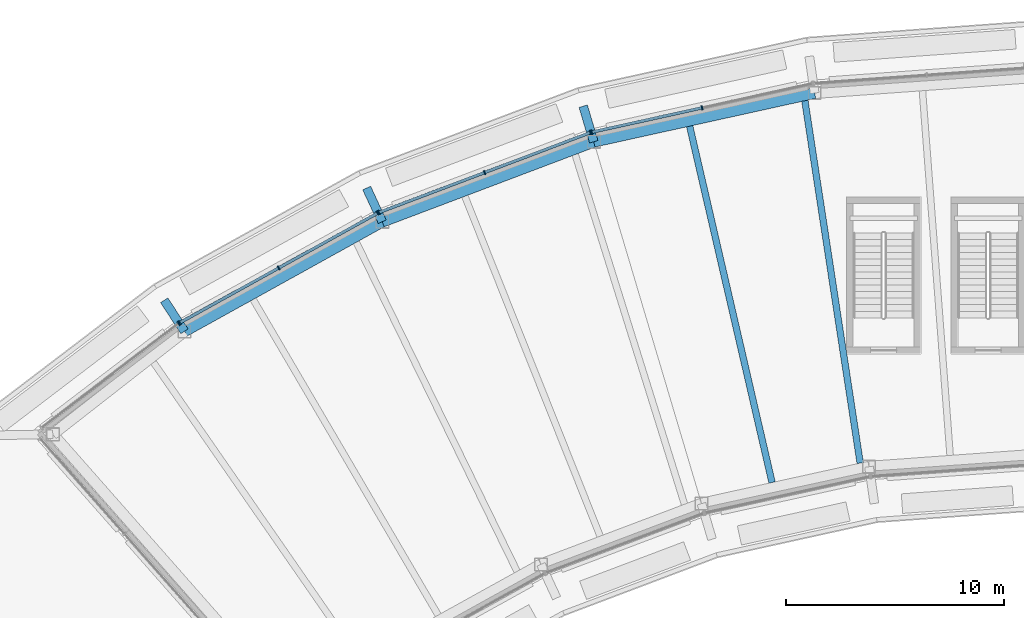
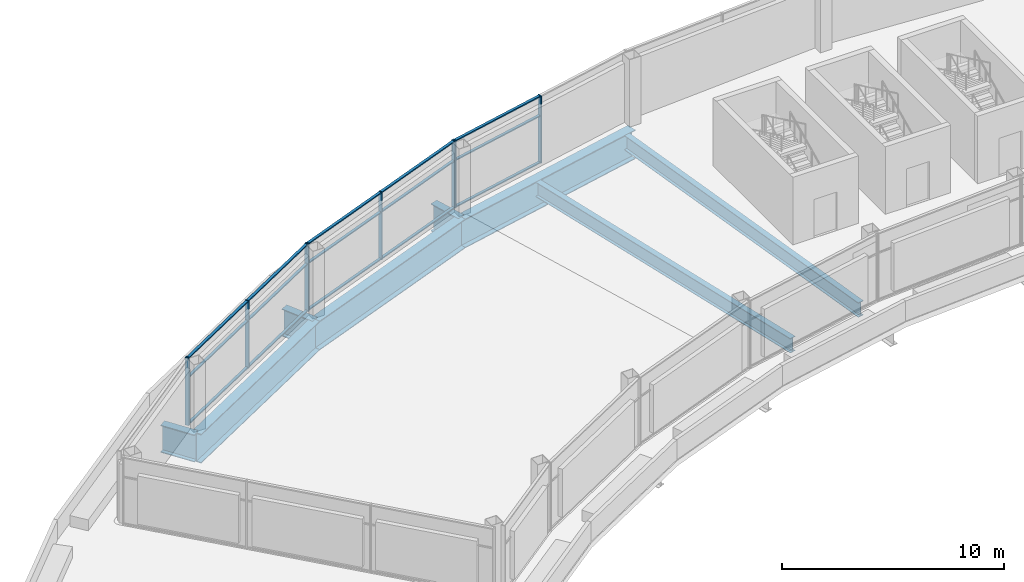
# One storey, part 5 of 17: 24 members, 8 beams, 4 elements without a shape of their own.
"""IFC4 building model written with IfcOpenShell, lengths in metres."""

from ifc_helpers import new_model, si_unit, direction, frame, origin, origin_2d, place, context, subcontext, project, spatial, rectangle, i_section, extrude, material, layer, layer_set, material_profile, profile_set, type_object, element, aggregate, save


model = new_model("IFC4")

# Units and contexts
model_context = context("Model", 3, precision=1e-05, world=origin(), true_north=direction((0.0, 1.0)))
body_context = subcontext(model_context, "Body", "Model", "MODEL_VIEW")
ifc_project = project(units=[si_unit("LENGTHUNIT", "METRE"), si_unit("AREAUNIT", "SQUARE_METRE"), si_unit("VOLUMEUNIT", "CUBIC_METRE"), si_unit("PLANEANGLEUNIT", "RADIAN"), si_unit("MASSUNIT", "GRAM", prefix="KILO")], contexts=[model_context])

# Site, building, storey
site_placement = place(None, origin())
site = spatial("IfcSite", under=ifc_project, at=site_placement, CompositionType="ELEMENT")
building_placement = place(site_placement, origin())
building = spatial("IfcBuilding", under=site, at=building_placement, Name="Tuul Gate Civic Tower", CompositionType="ELEMENT")
storey_placement = place(building_placement, frame((0.0, 0.0, 360.10009765625)))
storey = spatial("IfcBuildingStorey", under=building, at=storey_placement, Name="Crown tier 1 lower", CompositionType="ELEMENT", Elevation=360.10009765625)

# Curtain wall, members
ifc_material_1 = material(Name="Aluminium", Category="aluminium")
ifc_layer = layer(ifc_material_1, 0.199951171875)
ifc_layer_set = layer_set([ifc_layer], Name="Aluminium")
curtain_wall_type = type_object("IfcCurtainWallType", Name="Curtain wall CW5", PredefinedType="NOTDEFINED", material=ifc_layer_set)
curtain_wall_1_placement = place(storey_placement, origin())
curtain_wall_1 = element("IfcCurtainWall", 1, at=curtain_wall_1_placement, inside=storey, type_object=curtain_wall_type, Name="Curtain wall CW5", PredefinedType="NOTDEFINED")
ifc_material_2 = material(Name="Aluminium", Category="aluminium")
ifc_material_profile_1 = material_profile(ifc_material_2, rectangle(XDim=0.199951171875, YDim=0.06005859375, at=origin_2d()), Name="CW5 mullion")
ifc_profile_set_1 = profile_set([ifc_material_profile_1], Name="Aluminium")
member_type_1 = type_object("IfcMemberType", Name="CW5 mullion", PredefinedType="MULLION", material=ifc_profile_set_1)
member_1_placement = place(storey_placement, frame((-13.33740234375, 10.39404296875, 0.0), z_axis=(0.0, 0.0, 1.0), x_axis=(0.215268775226, -0.976554839429, 0.0)))
member_1 = element("IfcMember", 2, at=member_1_placement, type_object=member_type_1, Name="Mullion", PredefinedType="MULLION", context=body_context, shape_type="SweptSolid", body=[
    extrude(rectangle(XDim=0.199951171875, YDim=0.06005859375, at=origin_2d()), origin(), (0.0, 0.0, 1.0), 3.699951171875),
])
member_2_placement = place(storey_placement, frame((-18.41162109375, 9.275390625, 0.0), z_axis=(0.0, 0.0, 1.0), x_axis=(0.215268775226, -0.976554839429, 0.0)))
member_2 = element("IfcMember", 3, at=member_2_placement, type_object=member_type_1, Name="Mullion", PredefinedType="MULLION", context=body_context, shape_type="SweptSolid", body=[
    extrude(rectangle(XDim=0.199951171875, YDim=0.06005859375, at=origin_2d()), origin(), (0.0, 0.0, 1.0), 3.699951171875),
])

curtain_wall_2_placement = place(storey_placement, origin())
curtain_wall_2 = element("IfcCurtainWall", 4, at=curtain_wall_2_placement, inside=storey, type_object=curtain_wall_type, Name="Curtain wall CW5", PredefinedType="NOTDEFINED")
member_3_placement = place(storey_placement, frame((-18.468994140625, 9.25830078125, 0.0), z_axis=(0.0, 0.0, 1.0), x_axis=(0.353690785552, -0.935362404748, 0.0)))
member_3 = element("IfcMember", 5, at=member_3_placement, type_object=member_type_1, Name="Mullion", PredefinedType="MULLION", context=body_context, shape_type="SweptSolid", body=[
    extrude(rectangle(XDim=0.199951171875, YDim=0.06005859375, at=origin_2d()), origin(), (0.0, 0.0, 1.0), 3.699951171875),
])
member_4_placement = place(storey_placement, frame((-23.32958984375, 7.42041015625, 0.0), z_axis=(0.0, 0.0, 1.0), x_axis=(0.353690785552, -0.935362404748, 0.0)))
member_4 = element("IfcMember", 6, at=member_4_placement, type_object=member_type_1, Name="Mullion", PredefinedType="MULLION", context=body_context, shape_type="SweptSolid", body=[
    extrude(rectangle(XDim=0.199951171875, YDim=0.06005859375, at=origin_2d()), origin(), (0.0, 0.0, 1.0), 3.699951171875),
])
member_5_placement = place(storey_placement, frame((-28.18994140625, 5.58251953125, 0.0), z_axis=(0.0, 0.0, 1.0), x_axis=(0.353690785552, -0.935362404748, 0.0)))
member_5 = element("IfcMember", 7, at=member_5_placement, type_object=member_type_1, Name="Mullion", PredefinedType="MULLION", context=body_context, shape_type="SweptSolid", body=[
    extrude(rectangle(XDim=0.199951171875, YDim=0.06005859375, at=origin_2d()), origin(), (0.0, 0.0, 1.0), 3.699951171875),
])

curtain_wall_3_placement = place(storey_placement, origin())
curtain_wall_3 = element("IfcCurtainWall", 8, at=curtain_wall_3_placement, inside=storey, type_object=curtain_wall_type, Name="Curtain wall CW5", PredefinedType="NOTDEFINED")
member_6_placement = place(storey_placement, frame((-28.244140625, 5.557373046875, 0.0), z_axis=(0.0, 0.0, 1.0), x_axis=(0.484806132848, -0.874621640227, 0.0)))
member_6 = element("IfcMember", 9, at=member_6_placement, type_object=member_type_1, Name="Mullion", PredefinedType="MULLION", context=body_context, shape_type="SweptSolid", body=[
    extrude(rectangle(XDim=0.199951171875, YDim=0.06005859375, at=origin_2d()), origin(), (0.0, 0.0, 1.0), 3.699951171875),
])
member_7_placement = place(storey_placement, frame((-32.78955078125, 3.0380859375, 0.0), z_axis=(0.0, 0.0, 1.0), x_axis=(0.484806132848, -0.874621640227, 0.0)))
member_7 = element("IfcMember", 10, at=member_7_placement, type_object=member_type_1, Name="Mullion", PredefinedType="MULLION", context=body_context, shape_type="SweptSolid", body=[
    extrude(rectangle(XDim=0.199951171875, YDim=0.06005859375, at=origin_2d()), origin(), (0.0, 0.0, 1.0), 3.699951171875),
])
member_8_placement = place(storey_placement, frame((-37.334716796875, 0.5185546875, 0.0), z_axis=(0.0, 0.0, 1.0), x_axis=(0.484806132848, -0.874621640227, 0.0)))
member_8 = element("IfcMember", 11, at=member_8_placement, type_object=member_type_1, Name="Mullion", PredefinedType="MULLION", context=body_context, shape_type="SweptSolid", body=[
    extrude(rectangle(XDim=0.199951171875, YDim=0.06005859375, at=origin_2d()), origin(), (0.0, 0.0, 1.0), 3.699951171875),
])

# Curtain wall, member
curtain_wall_4_placement = place(storey_placement, origin())
curtain_wall_4 = element("IfcCurtainWall", 12, at=curtain_wall_4_placement, inside=storey, type_object=curtain_wall_type, Name="Curtain wall CW5", PredefinedType="NOTDEFINED")
member_9_placement = place(storey_placement, frame((-37.384765625, 0.48583984375, 0.0), z_axis=(0.0, 0.0, 1.0), x_axis=(0.605782498172, -0.795630294112, 0.0)))
member_9 = element("IfcMember", 13, at=member_9_placement, type_object=member_type_1, Name="Mullion", PredefinedType="MULLION", context=body_context, shape_type="SweptSolid", body=[
    extrude(rectangle(XDim=0.199951171875, YDim=0.06005859375, at=origin_2d()), origin(), (0.0, 0.0, 1.0), 3.699951171875),
])
aggregate(curtain_wall_4, [member_9])

# Member
ifc_material_3 = material(Name="Aluminium", Category="aluminium")
ifc_material_profile_2 = material_profile(ifc_material_3, rectangle(XDim=0.139892578125, YDim=0.06005859375, at=origin_2d()), Name="CW5 transom")
ifc_profile_set_2 = profile_set([ifc_material_profile_2], Name="Aluminium")
member_type_2 = type_object("IfcMemberType", Name="CW5 transom", PredefinedType="USERDEFINED", material=ifc_profile_set_2)
member_10_placement = place(storey_placement, frame((-13.36669921875, 10.387451171875, 0.02978515625), z_axis=(-0.976561402364, -0.215239000677, 0.0), x_axis=(0.215239000677, -0.976561402364, 0.0)))
member_10 = element("IfcMember", 14, at=member_10_placement, type_object=member_type_2, Name="Transom", ObjectType="TRANSOM", PredefinedType="USERDEFINED", context=body_context, shape_type="SweptSolid", body=[
    extrude(rectangle(XDim=0.139892578125, YDim=0.06005859375, at=origin_2d()), origin(), (0.0, 0.0, 1.0), 5.135986328125),
])

member_11_placement = place(storey_placement, frame((-13.36669921875, 10.387451171875, 2.599853515625), z_axis=(-0.976561402364, -0.215239000677, 0.0), x_axis=(0.215239000677, -0.976561402364, 0.0)))
member_11 = element("IfcMember", 15, at=member_11_placement, type_object=member_type_2, Name="Transom", ObjectType="TRANSOM", PredefinedType="USERDEFINED", context=body_context, shape_type="SweptSolid", body=[
    extrude(rectangle(XDim=0.139892578125, YDim=0.06005859375, at=origin_2d()), origin(), (0.0, 0.0, 1.0), 5.135986328125),
])

member_12_placement = place(storey_placement, frame((-13.36669921875, 10.387451171875, 3.669921875), z_axis=(-0.976561402364, -0.215239000677, 0.0), x_axis=(0.215239000677, -0.976561402364, 0.0)))
member_12 = element("IfcMember", 16, at=member_12_placement, type_object=member_type_2, Name="Transom", ObjectType="TRANSOM", PredefinedType="USERDEFINED", context=body_context, shape_type="SweptSolid", body=[
    extrude(rectangle(XDim=0.139892578125, YDim=0.06005859375, at=origin_2d()), origin(), (0.0, 0.0, 1.0), 5.135986328125),
])

aggregate(curtain_wall_1, [member_1, member_2, member_10, member_11, member_12])

member_13_placement = place(storey_placement, frame((-18.4970703125, 9.247802734375, 0.02978515625), z_axis=(-0.935366596006, -0.353679701249, 0.0), x_axis=(0.353679701249, -0.935366596006, 0.0)))
member_13 = element("IfcMember", 17, at=member_13_placement, type_object=member_type_2, Name="Transom", ObjectType="TRANSOM", PredefinedType="USERDEFINED", context=body_context, shape_type="SweptSolid", body=[
    extrude(rectangle(XDim=0.139892578125, YDim=0.06005859375, at=origin_2d()), origin(), (0.0, 0.0, 1.0), 5.136474609375),
])

member_14_placement = place(storey_placement, frame((-18.4970703125, 9.247802734375, 2.599853515625), z_axis=(-0.935366596006, -0.353679701249, 0.0), x_axis=(0.353679701249, -0.935366596006, 0.0)))
member_14 = element("IfcMember", 18, at=member_14_placement, type_object=member_type_2, Name="Transom", ObjectType="TRANSOM", PredefinedType="USERDEFINED", context=body_context, shape_type="SweptSolid", body=[
    extrude(rectangle(XDim=0.139892578125, YDim=0.06005859375, at=origin_2d()), origin(), (0.0, 0.0, 1.0), 5.136474609375),
])

member_15_placement = place(storey_placement, frame((-18.4970703125, 9.247802734375, 3.669921875), z_axis=(-0.935366596006, -0.353679701249, 0.0), x_axis=(0.353679701249, -0.935366596006, 0.0)))
member_15 = element("IfcMember", 19, at=member_15_placement, type_object=member_type_2, Name="Transom", ObjectType="TRANSOM", PredefinedType="USERDEFINED", context=body_context, shape_type="SweptSolid", body=[
    extrude(rectangle(XDim=0.139892578125, YDim=0.06005859375, at=origin_2d()), origin(), (0.0, 0.0, 1.0), 5.136474609375),
])

member_16_placement = place(storey_placement, frame((-23.357666015625, 7.409912109375, 0.02978515625), z_axis=(-0.935360649963, -0.35369542618, 0.0), x_axis=(0.35369542618, -0.935360649963, 0.0)))
member_16 = element("IfcMember", 20, at=member_16_placement, type_object=member_type_2, Name="Transom", ObjectType="TRANSOM", PredefinedType="USERDEFINED", context=body_context, shape_type="SweptSolid", body=[
    extrude(rectangle(XDim=0.139892578125, YDim=0.06005859375, at=origin_2d()), origin(), (0.0, 0.0, 1.0), 5.13623046875),
])

member_17_placement = place(storey_placement, frame((-23.357666015625, 7.409912109375, 2.599853515625), z_axis=(-0.935360649963, -0.35369542618, 0.0), x_axis=(0.35369542618, -0.935360649963, 0.0)))
member_17 = element("IfcMember", 21, at=member_17_placement, type_object=member_type_2, Name="Transom", ObjectType="TRANSOM", PredefinedType="USERDEFINED", context=body_context, shape_type="SweptSolid", body=[
    extrude(rectangle(XDim=0.139892578125, YDim=0.06005859375, at=origin_2d()), origin(), (0.0, 0.0, 1.0), 5.13623046875),
])

member_18_placement = place(storey_placement, frame((-23.357666015625, 7.409912109375, 3.669921875), z_axis=(-0.935360649963, -0.35369542618, 0.0), x_axis=(0.35369542618, -0.935360649963, 0.0)))
member_18 = element("IfcMember", 22, at=member_18_placement, type_object=member_type_2, Name="Transom", ObjectType="TRANSOM", PredefinedType="USERDEFINED", context=body_context, shape_type="SweptSolid", body=[
    extrude(rectangle(XDim=0.139892578125, YDim=0.06005859375, at=origin_2d()), origin(), (0.0, 0.0, 1.0), 5.13623046875),
])

aggregate(curtain_wall_2, [member_3, member_4, member_5, member_13, member_14, member_15, member_16, member_17, member_18])

member_19_placement = place(storey_placement, frame((-28.2705078125, 5.54296875, 0.02978515625), z_axis=(-0.874607517649, -0.484831610017, 0.0), x_axis=(0.484831610017, -0.874607517649, 0.0)))
member_19 = element("IfcMember", 23, at=member_19_placement, type_object=member_type_2, Name="Transom", ObjectType="TRANSOM", PredefinedType="USERDEFINED", context=body_context, shape_type="SweptSolid", body=[
    extrude(rectangle(XDim=0.139892578125, YDim=0.06005859375, at=origin_2d()), origin(), (0.0, 0.0, 1.0), 5.13671875),
])

member_20_placement = place(storey_placement, frame((-28.2705078125, 5.54296875, 2.599853515625), z_axis=(-0.874607517649, -0.484831610017, 0.0), x_axis=(0.484831610017, -0.874607517649, 0.0)))
member_20 = element("IfcMember", 24, at=member_20_placement, type_object=member_type_2, Name="Transom", ObjectType="TRANSOM", PredefinedType="USERDEFINED", context=body_context, shape_type="SweptSolid", body=[
    extrude(rectangle(XDim=0.139892578125, YDim=0.06005859375, at=origin_2d()), origin(), (0.0, 0.0, 1.0), 5.13671875),
])

member_21_placement = place(storey_placement, frame((-28.2705078125, 5.54296875, 3.669921875), z_axis=(-0.874607517649, -0.484831610017, 0.0), x_axis=(0.484831610017, -0.874607517649, 0.0)))
member_21 = element("IfcMember", 25, at=member_21_placement, type_object=member_type_2, Name="Transom", ObjectType="TRANSOM", PredefinedType="USERDEFINED", context=body_context, shape_type="SweptSolid", body=[
    extrude(rectangle(XDim=0.139892578125, YDim=0.06005859375, at=origin_2d()), origin(), (0.0, 0.0, 1.0), 5.13671875),
])

member_22_placement = place(storey_placement, frame((-32.815673828125, 3.0234375, 0.02978515625), z_axis=(-0.874638840805, -0.484775100593, 0.0), x_axis=(0.484775100593, -0.874638840805, 0.0)))
member_22 = element("IfcMember", 26, at=member_22_placement, type_object=member_type_2, Name="Transom", ObjectType="TRANSOM", PredefinedType="USERDEFINED", context=body_context, shape_type="SweptSolid", body=[
    extrude(rectangle(XDim=0.139892578125, YDim=0.06005859375, at=origin_2d()), origin(), (0.0, 0.0, 1.0), 5.136962890625),
])

member_23_placement = place(storey_placement, frame((-32.815673828125, 3.0234375, 2.599853515625), z_axis=(-0.874638840805, -0.484775100593, 0.0), x_axis=(0.484775100593, -0.874638840805, 0.0)))
member_23 = element("IfcMember", 27, at=member_23_placement, type_object=member_type_2, Name="Transom", ObjectType="TRANSOM", PredefinedType="USERDEFINED", context=body_context, shape_type="SweptSolid", body=[
    extrude(rectangle(XDim=0.139892578125, YDim=0.06005859375, at=origin_2d()), origin(), (0.0, 0.0, 1.0), 5.136962890625),
])

member_24_placement = place(storey_placement, frame((-32.815673828125, 3.0234375, 3.669921875), z_axis=(-0.874638840805, -0.484775100593, 0.0), x_axis=(0.484775100593, -0.874638840805, 0.0)))
member_24 = element("IfcMember", 28, at=member_24_placement, type_object=member_type_2, Name="Transom", ObjectType="TRANSOM", PredefinedType="USERDEFINED", context=body_context, shape_type="SweptSolid", body=[
    extrude(rectangle(XDim=0.139892578125, YDim=0.06005859375, at=origin_2d()), origin(), (0.0, 0.0, 1.0), 5.136962890625),
])

aggregate(curtain_wall_3, [member_6, member_7, member_8, member_19, member_20, member_21, member_22, member_23, member_24])

# Beams
ifc_material_4 = material(Name="Steel S355", Category="steel")
ifc_material_profile_3 = material_profile(ifc_material_4, i_section(OverallWidth=0.39990234375, OverallDepth=1.5, WebThickness=0.02490234375, FlangeThickness=0.0400390625, at=origin_2d()), Name="PG1500x400x25x40")
ifc_profile_set_3 = profile_set([ifc_material_profile_3], Name="Steel S355")
beam_type_1 = type_object("IfcBeamType", Name="STR-FLOOR BEAM-PG1500x400x25x40", PredefinedType="BEAM", material=ifc_profile_set_3)
beam_1_placement = place(storey_placement, frame((-18.79931640625, 10.470458984375, -1.050048828125), z_axis=(0.285180008962, -0.958473975906, 0.0), x_axis=(0.958473975906, 0.285180008962, 0.0)))
element("IfcBeam", 29, at=beam_1_placement, inside=storey, type_object=beam_type_1, Name="Ring girder stub", PredefinedType="BEAM", context=body_context, shape_type="SweptSolid", body=[
    extrude(i_section(OverallWidth=0.39990234375, OverallDepth=1.5, WebThickness=0.02490234375, FlangeThickness=0.0400390625, at=origin_2d()), origin(), (0.0, 0.0, 1.0), 1.705322265625),
])
beam_2_placement = place(storey_placement, frame((-28.745849609375, 6.709716796875, -1.050048828125), z_axis=(0.42027418612, -0.90739716138, 0.0), x_axis=(0.90739716138, 0.42027418612, 0.0)))
element("IfcBeam", 30, at=beam_2_placement, inside=storey, type_object=beam_type_1, Name="Ring girder stub", PredefinedType="BEAM", context=body_context, shape_type="SweptSolid", body=[
    extrude(i_section(OverallWidth=0.39990234375, OverallDepth=1.5, WebThickness=0.02490234375, FlangeThickness=0.0400390625, at=origin_2d()), origin(), (0.0, 0.0, 1.0), 1.70556640625),
])
beam_3_placement = place(storey_placement, frame((-38.0458984375, 1.5537109375, -1.050048828125), z_axis=(0.546577873779, -0.837408280288, 0.0), x_axis=(0.837408280288, 0.546577873779, 0.0)))
element("IfcBeam", 31, at=beam_3_placement, inside=storey, type_object=beam_type_1, Name="Ring girder stub", PredefinedType="BEAM", context=body_context, shape_type="SweptSolid", body=[
    extrude(i_section(OverallWidth=0.39990234375, OverallDepth=1.5, WebThickness=0.02490234375, FlangeThickness=0.0400390625, at=origin_2d()), origin(), (0.0, 0.0, 1.0), 1.704833984375),
])
ifc_material_5 = material(Name="Steel S355", Category="steel")
ifc_material_profile_4 = material_profile(ifc_material_5, i_section(OverallWidth=0.300048828125, OverallDepth=0.800048828125, WebThickness=0.013916015625, FlangeThickness=0.02490234375, at=origin_2d()), Name="PG800x300x14x25")
ifc_profile_set_4 = profile_set([ifc_material_profile_4], Name="Steel S355")
beam_type_2 = type_object("IfcBeamType", Name="STR-FLOOR BEAM-PG800x300x14x25", PredefinedType="BEAM", material=ifc_profile_set_4)
beam_4_placement = place(storey_placement, frame((-6.074951171875, -5.925537109375, -0.7001953125), z_axis=(-0.150930336798, 0.988544401347, 0.0), x_axis=(-0.988544401347, -0.150930336798, 0.0)))
element("IfcBeam", 32, at=beam_4_placement, inside=storey, type_object=beam_type_2, Name="Floor beam", PredefinedType="BEAM", context=body_context, shape_type="SweptSolid", body=[
    extrude(i_section(OverallWidth=0.300048828125, OverallDepth=0.800048828125, WebThickness=0.013916015625, FlangeThickness=0.02490234375, at=origin_2d()), origin(), (0.0, 0.0, 1.0), 16.835693359375),
])
beam_5_placement = place(storey_placement, frame((-10.12353515625, -6.817626953125, -0.7001953125), z_axis=(-0.225302052304, 0.974288963926, 0.0), x_axis=(-0.974288963926, -0.225302052304, 0.0)))
element("IfcBeam", 33, at=beam_5_placement, inside=storey, type_object=beam_type_2, Name="Floor beam", PredefinedType="BEAM", context=body_context, shape_type="SweptSolid", body=[
    extrude(i_section(OverallWidth=0.300048828125, OverallDepth=0.800048828125, WebThickness=0.013916015625, FlangeThickness=0.02490234375, at=origin_2d()), origin(), (0.0, 0.0, 1.0), 16.80029296875),
])
ifc_material_6 = material(Name="Steel S355", Category="steel")
ifc_material_profile_5 = material_profile(ifc_material_6, i_section(OverallWidth=0.5, OverallDepth=1.60009765625, WebThickness=0.02490234375, FlangeThickness=0.044921875, at=origin_2d()), Name="PG1600x500x25x45")
ifc_profile_set_5 = profile_set([ifc_material_profile_5], Name="Steel S355")
beam_type_3 = type_object("IfcBeamType", Name="STR-RING BEAM-PG1600x500x25x45", PredefinedType="BEAM", material=ifc_profile_set_5)
beam_6_placement = place(storey_placement, frame((-8.16796875, 11.072021484375, -1.10009765625), z_axis=(-0.9765599635, -0.215245528847, 0.0), x_axis=(0.215245528847, -0.9765599635, 0.0)))
element("IfcBeam", 34, at=beam_6_placement, inside=storey, type_object=beam_type_3, Name="Ring girder", PredefinedType="BEAM", context=body_context, shape_type="SweptSolid", body=[
    extrude(i_section(OverallWidth=0.5, OverallDepth=1.60009765625, WebThickness=0.02490234375, FlangeThickness=0.044921875, at=origin_2d()), origin(), (0.0, 0.0, 1.0), 10.388427734375),
])
for number, where, z_axis, x_axis, name in (
    (35, (-18.31298828125, 8.8359375, -1.10009765625), (-0.935366550568, -0.353679821417, 0.0), (0.353679821417, -0.935366550568, 0.0), "Ring girder"),
    (36, (-28.029052734375, 5.162109375, -1.10009765625), (-0.8746092269, -0.484828526617, 0.0), (0.484828526617, -0.8746092269, 0.0), "Ring girder"),
):
    element("IfcBeam", number, at=place(storey_placement, frame(where, z_axis=z_axis, x_axis=x_axis)), inside=storey, type_object=beam_type_3, Name=name, PredefinedType="BEAM", context=body_context, shape_type="SweptSolid", body=[
        extrude(i_section(OverallWidth=0.5, OverallDepth=1.60009765625, WebThickness=0.02490234375, FlangeThickness=0.044921875, at=origin_2d()), origin(), (0.0, 0.0, 1.0), 10.387451171875),
    ])

save(model, "model.ifc")
